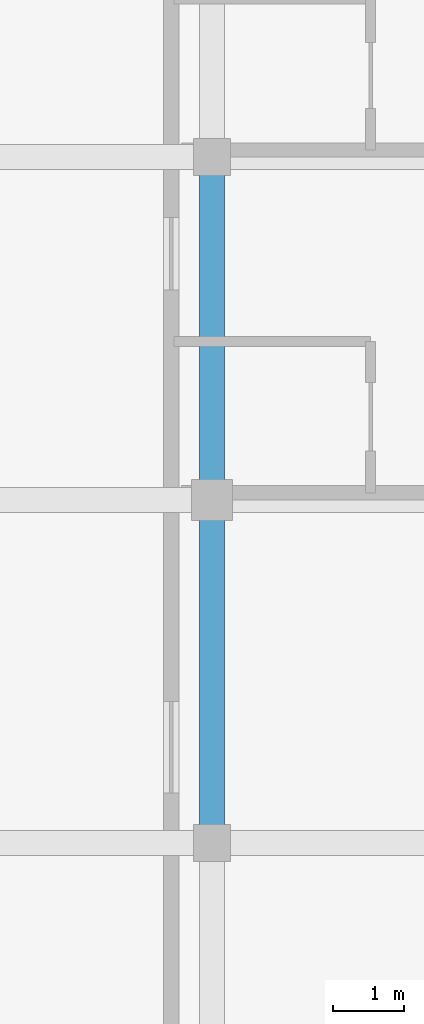
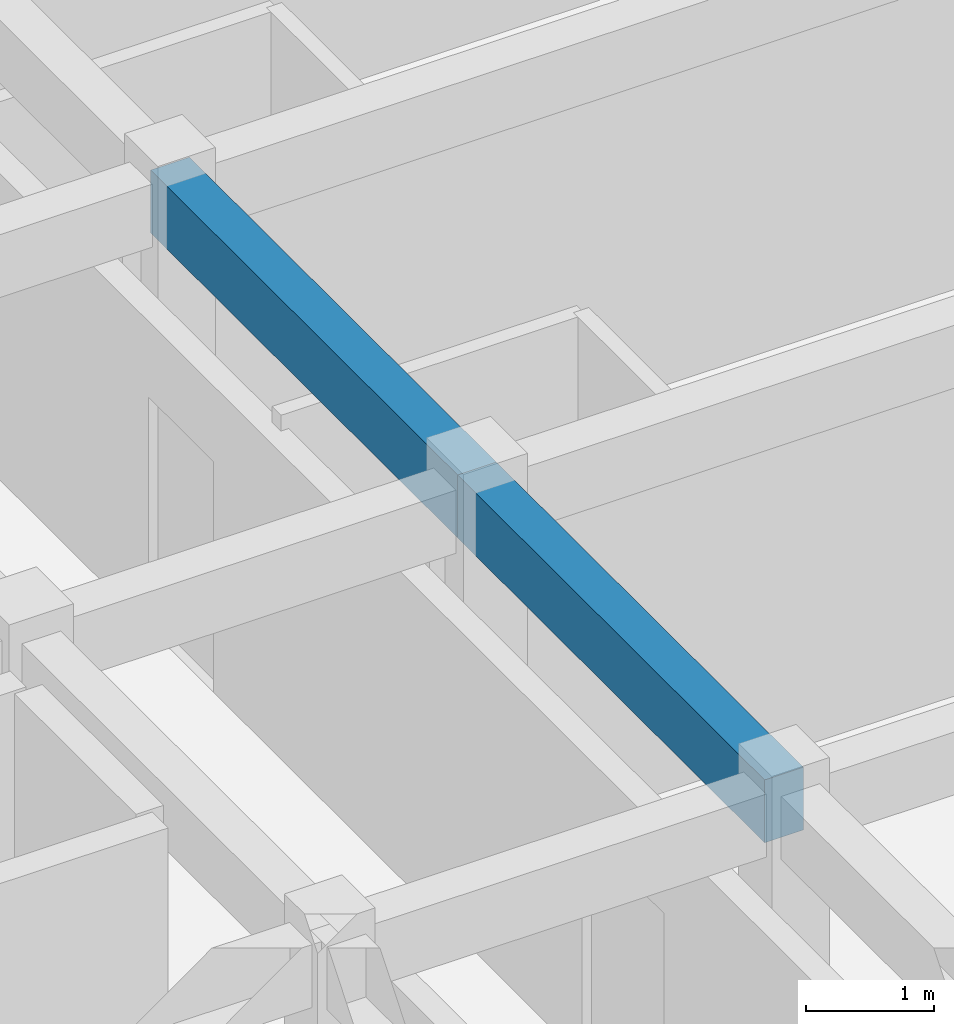
# One storey, part 7 of 49: 2 beams.
"""IFC4 building model written with IfcOpenShell, lengths in metres."""

from ifc_helpers import new_model, si_unit, direction, frame, origin, origin_2d, place, context, subcontext, project, spatial, rectangle, extrude, material, material_profile, profile_set, type_object, element, save


model = new_model("IFC4")

# Units and contexts
model_context = context("Model", 3, precision=1e-05, world=origin(), true_north=direction((0.0, 1.0)))
body_context = subcontext(model_context, "Body", "Model", "MODEL_VIEW")
ifc_project = project(units=[si_unit("LENGTHUNIT", "METRE"), si_unit("AREAUNIT", "SQUARE_METRE"), si_unit("VOLUMEUNIT", "CUBIC_METRE"), si_unit("PLANEANGLEUNIT", "RADIAN"), si_unit("MASSUNIT", "GRAM", prefix="KILO")], contexts=[model_context])

# Site, building, storey
site_placement = place(None, origin())
site = spatial("IfcSite", under=ifc_project, at=site_placement, CompositionType="ELEMENT")
building_placement = place(site_placement, origin())
building = spatial("IfcBuilding", under=site, at=building_placement, Name="Nakhvara Creek Congress Hotel", CompositionType="ELEMENT")
storey_placement = place(building_placement, frame((0.0, 0.0, 46.5)))
storey = spatial("IfcBuildingStorey", under=building, at=storey_placement, Name="L11", CompositionType="ELEMENT", Elevation=46.5)

# Beams
ifc_material = material(Name="Concrete C40/50", Category="concrete")
ifc_material_profile = material_profile(ifc_material, rectangle(XDim=0.35009765625, YDim=0.60009765625, at=origin_2d()), Name="RC-BM 350x600", Category="LoadBearing")
ifc_profile_set = profile_set([ifc_material_profile], Name="Concrete C40/50")
beam_type = type_object("IfcBeamType", Name="BM-RC-350X600", PredefinedType="BEAM", material=ifc_profile_set)
for number, where, z_axis, x_axis, name in (
    (1, (166.449951171875, 72.0, 3.3798828125), (0.0, 1.0, 0.0), (-1.0, 0.0, 0.0), "Beam B07-L11-2748"),
    (2, (166.449951171875, 76.800048828125, 3.3798828125), (0.0, 1.0, 0.0), (-1.0, 0.0, 0.0), "Beam B07-L11-2749"),
):
    element("IfcBeam", number, at=place(storey_placement, frame(where, z_axis=z_axis, x_axis=x_axis)), inside=storey, type_object=beam_type, Name=name, PredefinedType="BEAM", context=body_context, shape_type="SweptSolid", body=[
        extrude(rectangle(XDim=0.35009765625, YDim=0.60009765625, at=origin_2d()), origin(), (0.0, 0.0, 1.0), 4.800048828125),
    ])

save(model, "model.ifc")
